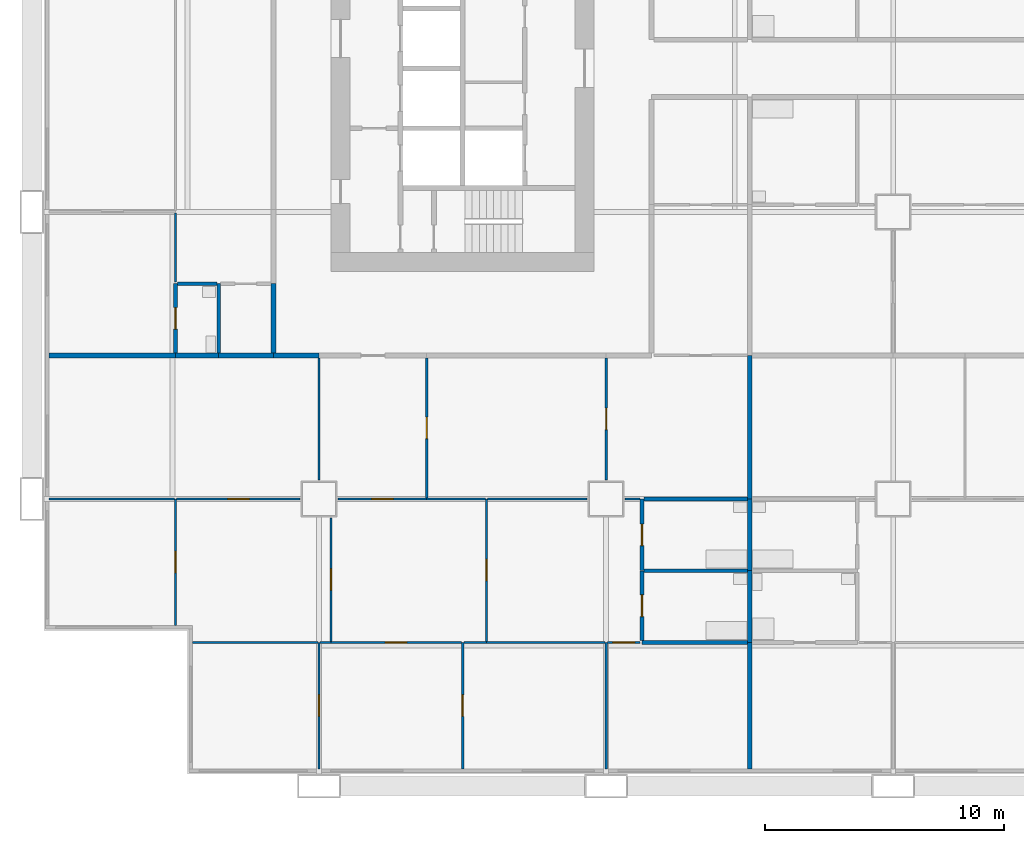
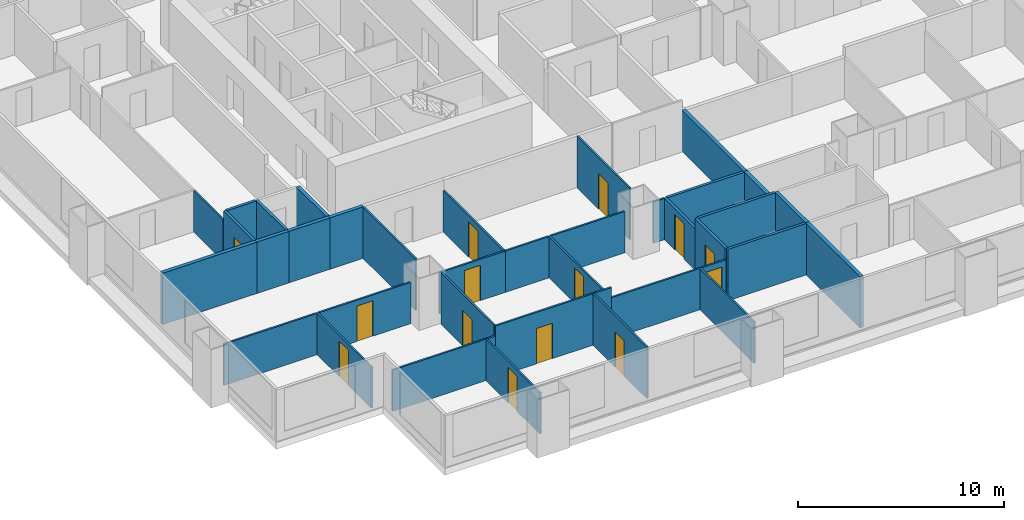
# One storey, part 2 of 13: 39 walls, 14 doors, 14 openings.
"""IFC4 building model written with IfcOpenShell, lengths in metres."""

import ifcopenshell
import ifcopenshell.guid

model = None  # the IFC model being written
_history = None  # IfcOwnerHistory: only IFC2X3 demands one
_inside = {}  # id of a spatial element -> (the spatial element, [elements in it])
_under = {}  # id of a project, library or spatial element -> (it, [spatial elements below it])
_declared = {}  # id of a project -> (the project, [libraries it declares])
_typed = {}  # id of a type object -> (the type object, [elements of that type])
_made_of = {}  # id of a material, layer set ... -> (it, [elements and type objects made of it])


def new_model(schema):
    """Start an empty IFC model of exactly this schema.

    Asked for "IFC4X3", IfcOpenShell would pick the latest addendum, in which some entities
    have other attributes; the version numbers below select the first issue.
    IFC2X3 requires an IfcOwnerHistory on every rooted entity: one is made here for all.
    """
    global model, _history
    if schema == "IFC4X3":
        model = ifcopenshell.file(schema_version=(4, 3, 0, 0))
    else:
        model = ifcopenshell.file(schema=schema)
    _inside.clear()
    _under.clear()
    _declared.clear()
    _typed.clear()
    _made_of.clear()
    _history = None
    if model.schema == "IFC2X3":
        org = make("IfcOrganization", Name="unknown")
        user = make(
            "IfcPersonAndOrganization",
            ThePerson=make("IfcPerson", FamilyName="unknown"),
            TheOrganization=org,
        )
        app = make(
            "IfcApplication",
            ApplicationDeveloper=org,
            Version="unknown",
            ApplicationFullName="unknown",
            ApplicationIdentifier="unknown",
        )
        _history = make(
            "IfcOwnerHistory",
            OwningUser=user,
            OwningApplication=app,
            ChangeAction="ADDED",
            CreationDate=0,
        )
    return model


def make(cls, **values):
    """One entity of the class cls with the attributes given. An attribute that is None is left unset."""
    return model.create_entity(
        cls, **{name: value for name, value in values.items() if value is not None}
    )


def rooted(cls, **values):
    """An entity with a GlobalId (a new one), such as an element, a storey or a relation."""
    return make(cls, GlobalId=ifcopenshell.guid.new(), OwnerHistory=_history, **values)


def si_unit(unit_type, name, prefix=None):
    """IfcSIUnit, for example si_unit("LENGTHUNIT", "METRE", prefix="MILLI")."""
    return make("IfcSIUnit", UnitType=unit_type, Prefix=prefix, Name=name)


def assignment(units):
    """IfcUnitAssignment: the units of a project."""
    return None if units is None else make("IfcUnitAssignment", Units=units)


def point(xyz):
    """IfcCartesianPoint."""
    return None if xyz is None else make("IfcCartesianPoint", Coordinates=xyz)


def direction(xyz):
    """IfcDirection."""
    return None if xyz is None else make("IfcDirection", DirectionRatios=xyz)


def frame(location, z_axis=None, x_axis=None):
    """IfcAxis2Placement3D, a coordinate frame: its origin and axes. An axis left out is left unset."""
    return make(
        "IfcAxis2Placement3D",
        Location=point(location),
        Axis=direction(z_axis),
        RefDirection=direction(x_axis),
    )


def frame_2d(location, x_axis=None):
    """IfcAxis2Placement2D, a coordinate frame in the plane: its origin and x axis."""
    return make(
        "IfcAxis2Placement2D", Location=point(location), RefDirection=direction(x_axis)
    )


def origin():
    """The frame at (0, 0, 0) with its axes left unset."""
    return frame((0.0, 0.0, 0.0))


def place(relative_to, where):
    """IfcLocalPlacement: puts the frame where relative to a parent placement (None: the world)."""
    return make(
        "IfcLocalPlacement", PlacementRelTo=relative_to, RelativePlacement=where
    )


def context(
    kind, dimensions, precision=None, world=None, true_north=None, identifier=None
):
    """IfcGeometricRepresentationContext, for example the 3D "Model" context."""
    return make(
        "IfcGeometricRepresentationContext",
        ContextIdentifier=identifier,
        ContextType=kind,
        CoordinateSpaceDimension=dimensions,
        Precision=precision,
        WorldCoordinateSystem=world,
        TrueNorth=true_north,
    )


def subcontext(parent, identifier, kind, view, scale=None):
    """IfcGeometricRepresentationSubContext, for example "Body" below "Model"."""
    return make(
        "IfcGeometricRepresentationSubContext",
        ContextIdentifier=identifier,
        ContextType=kind,
        ParentContext=parent,
        TargetScale=scale,
        TargetView=view,
    )


def project(units=None, contexts=None):
    """IfcProject with its units and contexts."""
    return rooted(
        "IfcProject",
        Name="project",
        RepresentationContexts=contexts,
        UnitsInContext=assignment(units),
    )


def spatial(cls, under=None, at=None, **own):
    """A site, building, storey or space (cls), placed at a placement, below another one or the project."""
    s = rooted(cls, ObjectPlacement=at, **own)
    if under is not None:
        _under.setdefault(under.id(), (under, []))[1].append(s)
    return s


def profile(cls, at=None, kind="AREA", **sizes):
    """A parametric profile (cls). Its sizes go by their IFC names, for example OverallWidth=200.0."""
    return make(cls, ProfileType=kind, Position=at, **sizes)


def rectangle(**sizes):
    """IfcRectangleProfileDef."""
    return profile("IfcRectangleProfileDef", **sizes)


def extrude(swept, where, along, depth):
    """IfcExtrudedAreaSolid: the profile swept, set in the frame where, extruded along a direction by depth."""
    return make(
        "IfcExtrudedAreaSolid",
        SweptArea=swept,
        Position=where,
        ExtrudedDirection=direction(along),
        Depth=depth,
    )


def shape(context_of_items, identifier, shape_type, items):
    """IfcShapeRepresentation: the items that make up one representation, for example the "Body"."""
    return make(
        "IfcShapeRepresentation",
        ContextOfItems=context_of_items,
        RepresentationIdentifier=identifier,
        RepresentationType=shape_type,
        Items=items,
    )


def material(Name=None, Category=None):
    """IfcMaterial."""
    return make("IfcMaterial", Name=Name, Category=Category)


def layer(
    of_material, thickness, ventilated=None, Name=None, Category=None, Priority=None
):
    """IfcMaterialLayer: one layer of a wall or slab, of a material (None: an air gap)."""
    return make(
        "IfcMaterialLayer",
        Material=of_material,
        LayerThickness=thickness,
        IsVentilated=ventilated,
        Name=Name,
        Category=Category,
        Priority=Priority,
    )


def layer_set(layers, Name=None):
    """IfcMaterialLayerSet."""
    return make("IfcMaterialLayerSet", MaterialLayers=layers, LayerSetName=Name)


def made_of(thing, what):
    """Note that an element or type object is made of a material, layer set ...; save() writes the relation."""
    if what is not None:
        _made_of.setdefault(what.id(), (what, []))[1].append(thing)
    return thing


def type_object(cls, material=None, **own):
    """A type object (cls), such as IfcWallType, which elements share."""
    return made_of(rooted(cls, **own), material)


def element(
    cls,
    number,
    at=None,
    inside=None,
    cuts=None,
    type_object=None,
    material=None,
    context=None,
    identifier="Body",
    shape_type=None,
    held_by="IfcProductDefinitionShape",
    body=None,
    shapes=None,
    **own,
):
    """One element of the class cls, such as IfcWall. Its Tag is "e" and its number.

    at: its placement. inside: the storey or other place that contains it. cuts: it is an
    opening in that element (IfcRelVoidsElement). A single representation is given by context,
    identifier, shape_type and body (its items); several are given by shapes. held_by: the class
    of the entity that holds the representations. save() writes the other relations.
    """
    e = rooted(cls, Tag="e%d" % number, ObjectPlacement=at, **own)
    if body is not None:
        shapes = [shape(context, identifier, shape_type, body)]
    if shapes is not None:
        e.Representation = make(held_by, Representations=shapes)
    if inside is not None:
        _inside.setdefault(inside.id(), (inside, []))[1].append(e)
    if cuts is not None:
        rooted(
            "IfcRelVoidsElement", RelatingBuildingElement=cuts, RelatedOpeningElement=e
        )
    if type_object is not None:
        _typed.setdefault(type_object.id(), (type_object, []))[1].append(e)
    return made_of(e, material)


def fill(opening, filler):
    """IfcRelFillsElement: the door or window that sits in an opening."""
    return rooted(
        "IfcRelFillsElement",
        RelatingOpeningElement=opening,
        RelatedBuildingElement=filler,
    )


def aggregate(whole, parts):
    """IfcRelAggregates: a whole, such as a stair, and the parts it consists of."""
    return rooted("IfcRelAggregates", RelatingObject=whole, RelatedObjects=parts)


def save(model, path):
    """Write the relations noted so far, then the file.

    IfcRelAggregates (storeys below a building ...), IfcRelContainedInSpatialStructure (elements
    in a storey), IfcRelDefinesByType, IfcRelAssociatesMaterial and IfcRelDeclares: one each for
    every whole, place, type object, material and project.
    """
    for whole, parts in _under.values():
        aggregate(whole, parts)
    for where, things in _inside.values():
        rooted(
            "IfcRelContainedInSpatialStructure",
            RelatedElements=things,
            RelatingStructure=where,
        )
    for kind, things in _typed.values():
        rooted("IfcRelDefinesByType", RelatedObjects=things, RelatingType=kind)
    for what, things in _made_of.values():
        rooted("IfcRelAssociatesMaterial", RelatedObjects=things, RelatingMaterial=what)
    for by, libraries in _declared.values():
        rooted("IfcRelDeclares", RelatingContext=by, RelatedDefinitions=libraries)
    model.write(path)


model = new_model("IFC4")

# Units and contexts
model_context = context("Model", 3, precision=1e-05, world=origin(), true_north=direction((0.0, 1.0)))
body_context = subcontext(model_context, "Body", "Model", "MODEL_VIEW")
ifc_project = project(units=[si_unit("LENGTHUNIT", "METRE"), si_unit("AREAUNIT", "SQUARE_METRE"), si_unit("VOLUMEUNIT", "CUBIC_METRE"), si_unit("PLANEANGLEUNIT", "RADIAN"), si_unit("MASSUNIT", "GRAM", prefix="KILO")], contexts=[model_context])

# Site, building, storey
site_placement = place(None, origin())
site = spatial("IfcSite", under=ifc_project, at=site_placement, CompositionType="ELEMENT")
building_placement = place(site_placement, origin())
building = spatial("IfcBuilding", under=site, at=building_placement, Name="Kitamizu Gate Tower and Museum", CompositionType="ELEMENT")
storey_placement = place(building_placement, frame((0.0, 0.0, 40.35009765625)))
storey = spatial("IfcBuildingStorey", under=building, at=storey_placement, Name="L08", CompositionType="ELEMENT", Elevation=40.35009765625)

# Wall, opening, door
ifc_material_1 = material(Name="Gypsum board on galvanised stud")
ifc_layer_1 = layer(ifc_material_1, 0.10009765625)
ifc_layer_set_1 = layer_set([ifc_layer_1], Name="Gypsum board on galvanised stud")
wall_type_1 = type_object("IfcWallType", Name="Partition 100 NOT RATED", PredefinedType="PARTITIONING", material=ifc_layer_set_1)
wall_1_placement = place(storey_placement, frame((12.0, 0.719970703125, 0.0), z_axis=(0.0, 0.0, 1.0), x_axis=(0.0, 1.0, 0.0)))
wall_1 = element("IfcWall", 1, at=wall_1_placement, inside=storey, type_object=wall_type_1, Name="Partition L08-001", PredefinedType="PARTITIONING", context=body_context, shape_type="SweptSolid", body=[
    extrude(rectangle(XDim=5.280029296875, YDim=0.10009765625, at=frame_2d((2.64013671875, 0.0))), origin(), (0.0, 0.0, 1.0), 2.449951171875),
])
opening_1_placement = place(wall_1_placement, frame((2.18994140625, 0.0, 0.0)))
opening_1 = element("IfcOpeningElement", 2, at=opening_1_placement, cuts=wall_1, Name="Opening L08-006", PredefinedType="OPENING", context=body_context, shape_type="SweptSolid", body=[
    extrude(rectangle(XDim=0.89990234375, YDim=2.10009765625, at=frame_2d((0.449951171875, 1.050048828125))), frame((0.0, 0.06005859375, 0.0), z_axis=(0.0, -1.0, 0.0), x_axis=(1.0, 0.0, 0.0)), (0.0, 0.0, 1.0), 0.1201171875),
])
ifc_material_2 = material(Name="Timber door set", Category="wood")
door_type_1 = type_object("IfcDoorType", Name="Room door 900", OperationType="NOTDEFINED", PredefinedType="DOOR", material=ifc_material_2)
door_1_placement = place(opening_1_placement, origin())
door_1 = element("IfcDoor", 3, at=door_1_placement, inside=storey, type_object=door_type_1, Name="Door L08-006", OperationType="SINGLE_SWING_RIGHT", OverallHeight=2.10009765625, OverallWidth=0.89990234375, PredefinedType="DOOR", context=body_context, shape_type="SweptSolid", body=[
    extrude(rectangle(XDim=0.89990234375, YDim=2.10009765625, at=frame_2d((0.449951171875, 1.050048828125))), frame((0.0, 0.02490234375, 0.0), z_axis=(0.0, -1.0, 0.0), x_axis=(1.0, 0.0, 0.0)), (0.0, 0.0, 1.0), 0.050048828125),
])
fill(opening_1, door_1)

# Wall
wall_2_placement = place(storey_placement, frame((11.949951171875, 6.0, 0.0), z_axis=(0.0, 0.0, 1.0), x_axis=(-1.0, 0.0, 0.0)))
element("IfcWall", 4, at=wall_2_placement, inside=storey, type_object=wall_type_1, Name="Partition L08-002", PredefinedType="PARTITIONING", context=body_context, shape_type="SweptSolid", body=[
    extrude(rectangle(XDim=5.22998046875, YDim=0.10009765625, at=frame_2d((2.614990234375, 0.0))), origin(), (0.0, 0.0, 1.0), 2.449951171875),
])

# Wall, opening, door
wall_3_placement = place(storey_placement, frame((18.0, 0.719970703125, 0.0), z_axis=(0.0, 0.0, 1.0), x_axis=(0.0, 1.0, 0.0)))
wall_3 = element("IfcWall", 5, at=wall_3_placement, inside=storey, type_object=wall_type_1, Name="Partition L08-003", PredefinedType="PARTITIONING", context=body_context, shape_type="SweptSolid", body=[
    extrude(rectangle(XDim=5.280029296875, YDim=0.10009765625, at=frame_2d((2.64013671875, 0.0))), origin(), (0.0, 0.0, 1.0), 3.0498046875),
])
opening_2_placement = place(wall_3_placement, frame((2.18994140625, 0.0, 0.0)))
opening_2 = element("IfcOpeningElement", 6, at=opening_2_placement, cuts=wall_3, Name="Opening L08-007", PredefinedType="OPENING", context=body_context, shape_type="SweptSolid", body=[
    extrude(rectangle(XDim=0.89990234375, YDim=2.10009765625, at=frame_2d((0.449951171875, 1.050048828125))), frame((0.0, 0.06005859375, 0.0), z_axis=(0.0, -1.0, 0.0), x_axis=(1.0, 0.0, 0.0)), (0.0, 0.0, 1.0), 0.1201171875),
])
door_2_placement = place(opening_2_placement, origin())
door_2 = element("IfcDoor", 7, at=door_2_placement, inside=storey, type_object=door_type_1, Name="Door L08-007", OperationType="SINGLE_SWING_LEFT", OverallHeight=2.10009765625, OverallWidth=0.89990234375, PredefinedType="DOOR", context=body_context, shape_type="SweptSolid", body=[
    extrude(rectangle(XDim=0.89990234375, YDim=2.10009765625, at=frame_2d((0.449951171875, 1.050048828125))), frame((0.0, 0.02490234375, 0.0), z_axis=(0.0, -1.0, 0.0), x_axis=(1.0, 0.0, 0.0)), (0.0, 0.0, 1.0), 0.050048828125),
])
fill(opening_2, door_2)

# Wall
wall_4_placement = place(storey_placement, frame((12.5, 6.0, 0.0), z_axis=(0.0, 0.0, 1.0), x_axis=(-1.0, 0.0, 0.0)))
element("IfcWall", 8, at=wall_4_placement, inside=storey, type_object=wall_type_1, Name="Partition L08-004", PredefinedType="PARTITIONING", context=body_context, shape_type="SweptSolid", body=[
    extrude(rectangle(XDim=0.449951171875, YDim=0.10009765625, at=frame_2d((0.22509765625, 0.0))), origin(), (0.0, 0.0, 1.0), 2.449951171875),
])

# Wall, opening, door
wall_5_placement = place(storey_placement, frame((17.949951171875, 6.0, 0.0), z_axis=(0.0, 0.0, 1.0), x_axis=(-1.0, 0.0, 0.0)))
wall_5 = element("IfcWall", 9, at=wall_5_placement, inside=storey, type_object=wall_type_1, Name="Partition L08-005", PredefinedType="PARTITIONING", context=body_context, shape_type="SweptSolid", body=[
    extrude(rectangle(XDim=5.449951171875, YDim=0.10009765625, at=frame_2d((2.72509765625, 0.0))), origin(), (0.0, 0.0, 1.0), 3.0498046875),
])
opening_3_placement = place(wall_5_placement, frame((2.27490234375, 0.0, 0.0)))
opening_3 = element("IfcOpeningElement", 10, at=opening_3_placement, cuts=wall_5, Name="Opening L08-003", PredefinedType="OPENING", context=body_context, shape_type="SweptSolid", body=[
    extrude(rectangle(XDim=0.89990234375, YDim=2.10009765625, at=frame_2d((0.449951171875, 1.050048828125))), frame((0.0, 0.06005859375, 0.0), z_axis=(0.0, -1.0, 0.0), x_axis=(1.0, 0.0, 0.0)), (0.0, 0.0, 1.0), 0.1201171875),
])
door_3_placement = place(opening_3_placement, origin())
door_3 = element("IfcDoor", 11, at=door_3_placement, inside=storey, type_object=door_type_1, Name="Door L08-003", OperationType="SINGLE_SWING_LEFT", OverallHeight=2.10009765625, OverallWidth=0.89990234375, PredefinedType="DOOR", context=body_context, shape_type="SweptSolid", body=[
    extrude(rectangle(XDim=0.89990234375, YDim=2.10009765625, at=frame_2d((0.449951171875, 1.050048828125))), frame((0.0, 0.02490234375, 0.0), z_axis=(0.0, -1.0, 0.0), x_axis=(1.0, 0.0, 0.0)), (0.0, 0.0, 1.0), 0.050048828125),
])
fill(opening_3, door_3)

# Walls
wall_6_placement = place(storey_placement, frame((24.0, 0.719970703125, 0.0), z_axis=(0.0, 0.0, 1.0), x_axis=(0.0, 1.0, 0.0)))
element("IfcWall", 12, at=wall_6_placement, inside=storey, type_object=wall_type_1, Name="Partition L08-006", PredefinedType="PARTITIONING", context=body_context, shape_type="SweptSolid", body=[
    extrude(rectangle(XDim=5.280029296875, YDim=0.10009765625, at=frame_2d((2.64013671875, 0.0))), origin(), (0.0, 0.0, 1.0), 2.449951171875),
])
wall_7_placement = place(storey_placement, frame((19.0, 6.0, 0.0), z_axis=(0.0, 0.0, 1.0), x_axis=(-1.0, 0.0, 0.0)))
element("IfcWall", 13, at=wall_7_placement, inside=storey, type_object=wall_type_1, Name="Partition L08-007", PredefinedType="PARTITIONING", context=body_context, shape_type="SweptSolid", body=[
    extrude(rectangle(XDim=0.949951171875, YDim=0.10009765625, at=frame_2d((0.47509765625, 0.0))), origin(), (0.0, 0.0, 1.0), 3.0498046875),
])
wall_8_placement = place(storey_placement, frame((23.949951171875, 6.0, 0.0), z_axis=(0.0, 0.0, 1.0), x_axis=(-1.0, 0.0, 0.0)))
element("IfcWall", 14, at=wall_8_placement, inside=storey, type_object=wall_type_1, Name="Partition L08-008", PredefinedType="PARTITIONING", context=body_context, shape_type="SweptSolid", body=[
    extrude(rectangle(XDim=4.949951171875, YDim=0.10009765625, at=frame_2d((2.47509765625, 0.0))), origin(), (0.0, 0.0, 1.0), 2.449951171875),
])

# Wall, opening, door
wall_9_placement = place(storey_placement, frame((25.425048828125, 6.0, 0.0), z_axis=(0.0, 0.0, 1.0), x_axis=(-1.0, 0.0, 0.0)))
wall_9 = element("IfcWall", 15, at=wall_9_placement, inside=storey, type_object=wall_type_1, Name="Partition L08-009", PredefinedType="PARTITIONING", context=body_context, shape_type="SweptSolid", body=[
    extrude(rectangle(XDim=1.375, YDim=0.10009765625, at=frame_2d((0.6875, 0.0))), origin(), (0.0, 0.0, 1.0), 2.449951171875),
])
opening_4_placement = place(wall_9_placement, frame((0.237548828125, 0.0, 0.0)))
opening_4 = element("IfcOpeningElement", 16, at=opening_4_placement, cuts=wall_9, Name="Opening L08-008", PredefinedType="OPENING", context=body_context, shape_type="SweptSolid", body=[
    extrude(rectangle(XDim=0.89990234375, YDim=2.10009765625, at=frame_2d((0.449951171875, 1.050048828125))), frame((0.0, 0.06005859375, 0.0), z_axis=(0.0, -1.0, 0.0), x_axis=(1.0, 0.0, 0.0)), (0.0, 0.0, 1.0), 0.1201171875),
])
door_4_placement = place(opening_4_placement, origin())
door_4 = element("IfcDoor", 17, at=door_4_placement, inside=storey, type_object=door_type_1, Name="Door L08-008", OperationType="SINGLE_SWING_LEFT", OverallHeight=2.10009765625, OverallWidth=0.89990234375, PredefinedType="DOOR", context=body_context, shape_type="SweptSolid", body=[
    extrude(rectangle(XDim=0.89990234375, YDim=2.10009765625, at=frame_2d((0.449951171875, 1.050048828125))), frame((0.0, 0.02490234375, 0.0), z_axis=(0.0, -1.0, 0.0), x_axis=(1.0, 0.0, 0.0)), (0.0, 0.0, 1.0), 0.050048828125),
])
fill(opening_4, door_4)

wall_10_placement = place(storey_placement, frame((6.0, 6.719970703125, 0.0), z_axis=(0.0, 0.0, 1.0), x_axis=(0.0, 1.0, 0.0)))
wall_10 = element("IfcWall", 18, at=wall_10_placement, inside=storey, type_object=wall_type_1, Name="Partition L08-012", PredefinedType="PARTITIONING", context=body_context, shape_type="SweptSolid", body=[
    extrude(rectangle(XDim=5.280029296875, YDim=0.10009765625, at=frame_2d((2.64013671875, 0.0))), origin(), (0.0, 0.0, 1.0), 2.449951171875),
])
opening_5_placement = place(wall_10_placement, frame((2.18994140625, 0.0, 0.0)))
opening_5 = element("IfcOpeningElement", 19, at=opening_5_placement, cuts=wall_10, Name="Opening L08-009", PredefinedType="OPENING", context=body_context, shape_type="SweptSolid", body=[
    extrude(rectangle(XDim=0.89990234375, YDim=2.10009765625, at=frame_2d((0.449951171875, 1.050048828125))), frame((0.0, 0.06005859375, 0.0), z_axis=(0.0, -1.0, 0.0), x_axis=(1.0, 0.0, 0.0)), (0.0, 0.0, 1.0), 0.1201171875),
])
door_5_placement = place(opening_5_placement, origin())
door_5 = element("IfcDoor", 20, at=door_5_placement, inside=storey, type_object=door_type_1, Name="Door L08-009", OperationType="SINGLE_SWING_RIGHT", OverallHeight=2.10009765625, OverallWidth=0.89990234375, PredefinedType="DOOR", context=body_context, shape_type="SweptSolid", body=[
    extrude(rectangle(XDim=0.89990234375, YDim=2.10009765625, at=frame_2d((0.449951171875, 1.050048828125))), frame((0.0, 0.02490234375, 0.0), z_axis=(0.0, -1.0, 0.0), x_axis=(1.0, 0.0, 0.0)), (0.0, 0.0, 1.0), 0.050048828125),
])
fill(opening_5, door_5)

# Wall
wall_11_placement = place(storey_placement, frame((5.949951171875, 12.0, 0.0), z_axis=(0.0, 0.0, 1.0), x_axis=(-1.0, 0.0, 0.0)))
element("IfcWall", 21, at=wall_11_placement, inside=storey, type_object=wall_type_1, Name="Partition L08-013", PredefinedType="PARTITIONING", context=body_context, shape_type="SweptSolid", body=[
    extrude(rectangle(XDim=5.22998046875, YDim=0.10009765625, at=frame_2d((2.614990234375, 0.0))), origin(), (0.0, 0.0, 1.0), 2.449951171875),
])

# Wall, opening, door
wall_12_placement = place(storey_placement, frame((12.5, 6.050048828125, 0.0), z_axis=(0.0, 0.0, 1.0), x_axis=(0.0, 1.0, 0.0)))
wall_12 = element("IfcWall", 22, at=wall_12_placement, inside=storey, type_object=wall_type_1, Name="Partition L08-014", PredefinedType="PARTITIONING", context=body_context, shape_type="SweptSolid", body=[
    extrude(rectangle(XDim=5.14990234375, YDim=0.10009765625, at=frame_2d((2.574951171875, 0.0))), origin(), (0.0, 0.0, 1.0), 3.0498046875),
])
opening_6_placement = place(wall_12_placement, frame((2.125, 0.0, 0.0)))
opening_6 = element("IfcOpeningElement", 23, at=opening_6_placement, cuts=wall_12, Name="Opening L08-004", PredefinedType="OPENING", context=body_context, shape_type="SweptSolid", body=[
    extrude(rectangle(XDim=0.89990234375, YDim=2.10009765625, at=frame_2d((0.449951171875, 1.050048828125))), frame((0.0, 0.06005859375, 0.0), z_axis=(0.0, -1.0, 0.0), x_axis=(1.0, 0.0, 0.0)), (0.0, 0.0, 1.0), 0.1201171875),
])
door_6_placement = place(opening_6_placement, frame((0.89990234375, 0.0, 0.0), x_axis=(-1.0, 0.0, 0.0)))
door_6 = element("IfcDoor", 24, at=door_6_placement, inside=storey, type_object=door_type_1, Name="Door L08-004", OperationType="SINGLE_SWING_LEFT", OverallHeight=2.10009765625, OverallWidth=0.89990234375, PredefinedType="DOOR", context=body_context, shape_type="SweptSolid", body=[
    extrude(rectangle(XDim=0.89990234375, YDim=2.10009765625, at=frame_2d((0.449951171875, 1.050048828125))), frame((0.0, 0.02490234375, 0.0), z_axis=(0.0, -1.0, 0.0), x_axis=(1.0, 0.0, 0.0)), (0.0, 0.0, 1.0), 0.050048828125),
])
fill(opening_6, door_6)

wall_13_placement = place(storey_placement, frame((11.199951171875, 12.0, 0.0), z_axis=(0.0, 0.0, 1.0), x_axis=(-1.0, 0.0, 0.0)))
wall_13 = element("IfcWall", 25, at=wall_13_placement, inside=storey, type_object=wall_type_1, Name="Partition L08-015", PredefinedType="PARTITIONING", context=body_context, shape_type="SweptSolid", body=[
    extrude(rectangle(XDim=5.14990234375, YDim=0.10009765625, at=frame_2d((2.574951171875, 0.0))), origin(), (0.0, 0.0, 1.0), 2.449951171875),
])
opening_7_placement = place(wall_13_placement, frame((2.125, 0.0, 0.0)))
opening_7 = element("IfcOpeningElement", 26, at=opening_7_placement, cuts=wall_13, Name="Opening L08-012", PredefinedType="OPENING", context=body_context, shape_type="SweptSolid", body=[
    extrude(rectangle(XDim=0.89990234375, YDim=2.10009765625, at=frame_2d((0.449951171875, 1.050048828125))), frame((0.0, 0.06005859375, 0.0), z_axis=(0.0, -1.0, 0.0), x_axis=(1.0, 0.0, 0.0)), (0.0, 0.0, 1.0), 0.1201171875),
])
door_7_placement = place(opening_7_placement, frame((0.89990234375, 0.0, 0.0), x_axis=(-1.0, 0.0, 0.0)))
door_7 = element("IfcDoor", 27, at=door_7_placement, inside=storey, type_object=door_type_1, Name="Door L08-012", OperationType="SINGLE_SWING_RIGHT", OverallHeight=2.10009765625, OverallWidth=0.89990234375, PredefinedType="DOOR", context=body_context, shape_type="SweptSolid", body=[
    extrude(rectangle(XDim=0.89990234375, YDim=2.10009765625, at=frame_2d((0.449951171875, 1.050048828125))), frame((0.0, 0.02490234375, 0.0), z_axis=(0.0, -1.0, 0.0), x_axis=(1.0, 0.0, 0.0)), (0.0, 0.0, 1.0), 0.050048828125),
])
fill(opening_7, door_7)

wall_14_placement = place(storey_placement, frame((19.0, 6.050048828125, 0.0), z_axis=(0.0, 0.0, 1.0), x_axis=(0.0, 1.0, 0.0)))
wall_14 = element("IfcWall", 28, at=wall_14_placement, inside=storey, type_object=wall_type_1, Name="Partition L08-016", PredefinedType="PARTITIONING", context=body_context, shape_type="SweptSolid", body=[
    extrude(rectangle(XDim=5.949951171875, YDim=0.10009765625, at=frame_2d((2.97509765625, 0.0))), origin(), (0.0, 0.0, 1.0), 2.449951171875),
])
opening_8_placement = place(wall_14_placement, frame((2.52490234375, 0.0, 0.0)))
opening_8 = element("IfcOpeningElement", 29, at=opening_8_placement, cuts=wall_14, Name="Opening L08-005", PredefinedType="OPENING", context=body_context, shape_type="SweptSolid", body=[
    extrude(rectangle(XDim=0.89990234375, YDim=2.10009765625, at=frame_2d((0.449951171875, 1.050048828125))), frame((0.0, 0.06005859375, 0.0), z_axis=(0.0, -1.0, 0.0), x_axis=(1.0, 0.0, 0.0)), (0.0, 0.0, 1.0), 0.1201171875),
])
door_8_placement = place(opening_8_placement, frame((0.89990234375, 0.0, 0.0), x_axis=(-1.0, 0.0, 0.0)))
door_8 = element("IfcDoor", 30, at=door_8_placement, inside=storey, type_object=door_type_1, Name="Door L08-005", OperationType="SINGLE_SWING_RIGHT", OverallHeight=2.10009765625, OverallWidth=0.89990234375, PredefinedType="DOOR", context=body_context, shape_type="SweptSolid", body=[
    extrude(rectangle(XDim=0.89990234375, YDim=2.10009765625, at=frame_2d((0.449951171875, 1.050048828125))), frame((0.0, 0.02490234375, 0.0), z_axis=(0.0, -1.0, 0.0), x_axis=(1.0, 0.0, 0.0)), (0.0, 0.0, 1.0), 0.050048828125),
])
fill(opening_8, door_8)

wall_15_placement = place(storey_placement, frame((16.5, 12.0, 0.0), z_axis=(0.0, 0.0, 1.0), x_axis=(-1.0, 0.0, 0.0)))
wall_15 = element("IfcWall", 31, at=wall_15_placement, inside=storey, type_object=wall_type_1, Name="Partition L08-017", PredefinedType="PARTITIONING", context=body_context, shape_type="SweptSolid", body=[
    extrude(rectangle(XDim=3.699951171875, YDim=0.10009765625, at=frame_2d((1.85009765625, 0.0))), origin(), (0.0, 0.0, 1.0), 2.449951171875),
])
opening_9_placement = place(wall_15_placement, frame((1.39990234375, 0.0, 0.0)))
opening_9 = element("IfcOpeningElement", 32, at=opening_9_placement, cuts=wall_15, Name="Opening L08-002", PredefinedType="OPENING", context=body_context, shape_type="SweptSolid", body=[
    extrude(rectangle(XDim=0.89990234375, YDim=2.10009765625, at=frame_2d((0.449951171875, 1.050048828125))), frame((0.0, 0.06005859375, 0.0), z_axis=(0.0, -1.0, 0.0), x_axis=(1.0, 0.0, 0.0)), (0.0, 0.0, 1.0), 0.1201171875),
])
door_9_placement = place(opening_9_placement, origin())
door_9 = element("IfcDoor", 33, at=door_9_placement, inside=storey, type_object=door_type_1, Name="Door L08-002", OperationType="SINGLE_SWING_LEFT", OverallHeight=2.10009765625, OverallWidth=0.89990234375, PredefinedType="DOOR", context=body_context, shape_type="SweptSolid", body=[
    extrude(rectangle(XDim=0.89990234375, YDim=2.10009765625, at=frame_2d((0.449951171875, 1.050048828125))), frame((0.0, 0.02490234375, 0.0), z_axis=(0.0, -1.0, 0.0), x_axis=(1.0, 0.0, 0.0)), (0.0, 0.0, 1.0), 0.050048828125),
])
fill(opening_9, door_9)

# Walls
wall_16_placement = place(storey_placement, frame((18.949951171875, 12.0, 0.0), z_axis=(0.0, 0.0, 1.0), x_axis=(-1.0, 0.0, 0.0)))
element("IfcWall", 34, at=wall_16_placement, inside=storey, type_object=wall_type_1, Name="Partition L08-018", PredefinedType="PARTITIONING", context=body_context, shape_type="SweptSolid", body=[
    extrude(rectangle(XDim=2.449951171875, YDim=0.10009765625, at=frame_2d((1.22509765625, 0.0))), origin(), (0.0, 0.0, 1.0), 2.449951171875),
])
wall_17_placement = place(storey_placement, frame((23.199951171875, 12.0, 0.0), z_axis=(0.0, 0.0, 1.0), x_axis=(-1.0, 0.0, 0.0)))
element("IfcWall", 35, at=wall_17_placement, inside=storey, type_object=wall_type_1, Name="Partition L08-021", PredefinedType="PARTITIONING", context=body_context, shape_type="SweptSolid", body=[
    extrude(rectangle(XDim=4.14990234375, YDim=0.10009765625, at=frame_2d((2.074951171875, 0.0))), origin(), (0.0, 0.0, 1.0), 2.449951171875),
])
wall_18_placement = place(storey_placement, frame((25.425048828125, 12.0, 0.0), z_axis=(0.0, 0.0, 1.0), x_axis=(-1.0, 0.0, 0.0)))
element("IfcWall", 36, at=wall_18_placement, inside=storey, type_object=wall_type_1, Name="Partition L08-022", PredefinedType="PARTITIONING", context=body_context, shape_type="SweptSolid", body=[
    extrude(rectangle(XDim=0.625, YDim=0.10009765625, at=frame_2d((0.3125, 0.0))), origin(), (0.0, 0.0, 1.0), 2.449951171875),
])
wall_19_placement = place(storey_placement, frame((12.0, 12.800048828125, 0.0), z_axis=(0.0, 0.0, 1.0), x_axis=(0.0, 1.0, 0.0)))
element("IfcWall", 37, at=wall_19_placement, inside=storey, type_object=wall_type_1, Name="Partition L08-027", PredefinedType="PARTITIONING", context=body_context, shape_type="SweptSolid", body=[
    extrude(rectangle(XDim=5.099853515625, YDim=0.10009765625, at=frame_2d((2.5498046875, 0.0))), origin(), (0.0, 0.0, 1.0), 3.0498046875),
])

# Wall, opening, door
wall_20_placement = place(storey_placement, frame((16.5, 12.050048828125, 0.0), z_axis=(0.0, 0.0, 1.0), x_axis=(0.0, 1.0, 0.0)))
wall_20 = element("IfcWall", 38, at=wall_20_placement, inside=storey, type_object=wall_type_1, Name="Partition L08-032", PredefinedType="PARTITIONING", context=body_context, shape_type="SweptSolid", body=[
    extrude(rectangle(XDim=5.849853515625, YDim=0.10009765625, at=frame_2d((2.9248046875, 0.0))), origin(), (0.0, 0.0, 1.0), 2.449951171875),
])
opening_10_placement = place(wall_20_placement, frame((2.47509765625, 0.0, 0.0)))
opening_10 = element("IfcOpeningElement", 39, at=opening_10_placement, cuts=wall_20, Name="Opening L08-013", PredefinedType="OPENING", context=body_context, shape_type="SweptSolid", body=[
    extrude(rectangle(XDim=0.89990234375, YDim=2.10009765625, at=frame_2d((0.449951171875, 1.050048828125))), frame((0.0, 0.06005859375, 0.0), z_axis=(0.0, -1.0, 0.0), x_axis=(1.0, 0.0, 0.0)), (0.0, 0.0, 1.0), 0.1201171875),
])
door_10_placement = place(opening_10_placement, frame((0.89990234375, 0.0, 0.0), x_axis=(-1.0, 0.0, 0.0)))
door_10 = element("IfcDoor", 40, at=door_10_placement, inside=storey, type_object=door_type_1, Name="Door L08-013", OperationType="SINGLE_SWING_LEFT", OverallHeight=2.10009765625, OverallWidth=0.89990234375, PredefinedType="DOOR", context=body_context, shape_type="SweptSolid", body=[
    extrude(rectangle(XDim=0.89990234375, YDim=2.10009765625, at=frame_2d((0.449951171875, 1.050048828125))), frame((0.0, 0.02490234375, 0.0), z_axis=(0.0, -1.0, 0.0), x_axis=(1.0, 0.0, 0.0)), (0.0, 0.0, 1.0), 0.050048828125),
])
fill(opening_10, door_10)

wall_21_placement = place(storey_placement, frame((24.0, 12.800048828125, 0.0), z_axis=(0.0, 0.0, 1.0), x_axis=(0.0, 1.0, 0.0)))
wall_21 = element("IfcWall", 41, at=wall_21_placement, inside=storey, type_object=wall_type_1, Name="Partition L08-034", PredefinedType="PARTITIONING", context=body_context, shape_type="SweptSolid", body=[
    extrude(rectangle(XDim=5.099853515625, YDim=0.10009765625, at=frame_2d((2.5498046875, 0.0))), origin(), (0.0, 0.0, 1.0), 3.0498046875),
])
opening_11_placement = place(wall_21_placement, frame((2.10009765625, 0.0, 0.0)))
opening_11 = element("IfcOpeningElement", 42, at=opening_11_placement, cuts=wall_21, Name="Opening L08-014", PredefinedType="OPENING", context=body_context, shape_type="SweptSolid", body=[
    extrude(rectangle(XDim=0.89990234375, YDim=2.10009765625, at=frame_2d((0.449951171875, 1.050048828125))), frame((0.0, 0.06005859375, 0.0), z_axis=(0.0, -1.0, 0.0), x_axis=(1.0, 0.0, 0.0)), (0.0, 0.0, 1.0), 0.1201171875),
])
door_11_placement = place(opening_11_placement, frame((0.89990234375, 0.0, 0.0), x_axis=(-1.0, 0.0, 0.0)))
door_11 = element("IfcDoor", 43, at=door_11_placement, inside=storey, type_object=door_type_1, Name="Door L08-014", OperationType="SINGLE_SWING_RIGHT", OverallHeight=2.10009765625, OverallWidth=0.89990234375, PredefinedType="DOOR", context=body_context, shape_type="SweptSolid", body=[
    extrude(rectangle(XDim=0.89990234375, YDim=2.10009765625, at=frame_2d((0.449951171875, 1.050048828125))), frame((0.0, 0.02490234375, 0.0), z_axis=(0.0, -1.0, 0.0), x_axis=(1.0, 0.0, 0.0)), (0.0, 0.0, 1.0), 0.050048828125),
])
fill(opening_11, door_11)

# Walls
wall_22_placement = place(storey_placement, frame((6.0, 21.074951171875, 0.0), z_axis=(0.0, 0.0, 1.0), x_axis=(0.0, 1.0, 0.0)))
element("IfcWall", 44, at=wall_22_placement, inside=storey, type_object=wall_type_1, Name="Partition L08-136", PredefinedType="PARTITIONING", context=body_context, shape_type="SweptSolid", body=[
    extrude(rectangle(XDim=2.875, YDim=0.10009765625, at=frame_2d((1.4375, 0.0))), origin(), (0.0, 0.0, 1.0), 2.449951171875),
])
ifc_material_3 = material(Name="Gypsum board on galvanised stud")
ifc_layer_2 = layer(ifc_material_3, 0.14990234375)
ifc_layer_set_2 = layer_set([ifc_layer_2], Name="Gypsum board on galvanised stud")
wall_type_2 = type_object("IfcWallType", Name="Partition 150", PredefinedType="PARTITIONING", material=ifc_layer_set_2)
wall_23_placement = place(storey_placement, frame((29.89990234375, 6.0, 0.0), z_axis=(0.0, 0.0, 1.0), x_axis=(-1.0, 0.0, 0.0)))
element("IfcWall", 45, at=wall_23_placement, inside=storey, type_object=wall_type_2, Name="Partition L08-010", PredefinedType="PARTITIONING", context=body_context, shape_type="SweptSolid", body=[
    extrude(rectangle(XDim=4.39990234375, YDim=0.14990234375, at=frame_2d((2.199951171875, 0.0))), origin(), (0.0, 0.0, 1.0), 3.0498046875),
])

# Wall, opening, door
wall_24_placement = place(storey_placement, frame((25.5, 6.074951171875, 0.0), z_axis=(0.0, 0.0, 1.0), x_axis=(0.0, 1.0, 0.0)))
wall_24 = element("IfcWall", 46, at=wall_24_placement, inside=storey, type_object=wall_type_2, Name="Partition L08-019", PredefinedType="PARTITIONING", context=body_context, shape_type="SweptSolid", body=[
    extrude(rectangle(XDim=2.925048828125, YDim=0.14990234375, at=frame_2d((1.46240234375, 0.0))), origin(), (0.0, 0.0, 1.0), 3.0498046875),
])
opening_12_placement = place(wall_24_placement, frame((1.012451171875, 0.0, 0.0)))
opening_12 = element("IfcOpeningElement", 47, at=opening_12_placement, cuts=wall_24, Name="Opening L08-010", PredefinedType="OPENING", context=body_context, shape_type="SweptSolid", body=[
    extrude(rectangle(XDim=0.89990234375, YDim=2.10009765625, at=frame_2d((0.449951171875, 1.050048828125))), frame((0.0, 0.0849609375, 0.0), z_axis=(0.0, -1.0, 0.0), x_axis=(1.0, 0.0, 0.0)), (0.0, 0.0, 1.0), 0.169921875),
])
ifc_material_4 = material(Name="Timber door set", Category="wood")
door_type_2 = type_object("IfcDoorType", Name="Bathroom door 900", OperationType="NOTDEFINED", PredefinedType="DOOR", material=ifc_material_4)
door_12_placement = place(opening_12_placement, frame((0.89990234375, 0.0, 0.0), x_axis=(-1.0, 0.0, 0.0)))
door_12 = element("IfcDoor", 48, at=door_12_placement, inside=storey, type_object=door_type_2, Name="Bathroom door L08-010", OperationType="SINGLE_SWING_RIGHT", OverallHeight=2.10009765625, OverallWidth=0.89990234375, PredefinedType="DOOR", context=body_context, shape_type="SweptSolid", body=[
    extrude(rectangle(XDim=0.89990234375, YDim=2.10009765625, at=frame_2d((0.449951171875, 1.050048828125))), frame((0.0, 0.02490234375, 0.0), z_axis=(0.0, -1.0, 0.0), x_axis=(1.0, 0.0, 0.0)), (0.0, 0.0, 1.0), 0.050048828125),
])
fill(opening_12, door_12)

wall_25_placement = place(storey_placement, frame((25.5, 9.0, 0.0), z_axis=(0.0, 0.0, 1.0), x_axis=(0.0, 1.0, 0.0)))
wall_25 = element("IfcWall", 49, at=wall_25_placement, inside=storey, type_object=wall_type_2, Name="Partition L08-020", PredefinedType="PARTITIONING", context=body_context, shape_type="SweptSolid", body=[
    extrude(rectangle(XDim=3.0, YDim=0.14990234375, at=frame_2d((1.5, 0.0))), origin(), (0.0, 0.0, 1.0), 2.449951171875),
])
opening_13_placement = place(wall_25_placement, frame((1.050048828125, 0.0, 0.0)))
opening_13 = element("IfcOpeningElement", 50, at=opening_13_placement, cuts=wall_25, Name="Opening L08-011", PredefinedType="OPENING", context=body_context, shape_type="SweptSolid", body=[
    extrude(rectangle(XDim=0.89990234375, YDim=2.10009765625, at=frame_2d((0.449951171875, 1.050048828125))), frame((0.0, 0.0849609375, 0.0), z_axis=(0.0, -1.0, 0.0), x_axis=(1.0, 0.0, 0.0)), (0.0, 0.0, 1.0), 0.169921875),
])
door_13_placement = place(opening_13_placement, frame((0.89990234375, 0.0, 0.0), x_axis=(-1.0, 0.0, 0.0)))
door_13 = element("IfcDoor", 51, at=door_13_placement, inside=storey, type_object=door_type_2, Name="Bathroom door L08-011", OperationType="SINGLE_SWING_LEFT", OverallHeight=2.10009765625, OverallWidth=0.89990234375, PredefinedType="DOOR", context=body_context, shape_type="SweptSolid", body=[
    extrude(rectangle(XDim=0.89990234375, YDim=2.10009765625, at=frame_2d((0.449951171875, 1.050048828125))), frame((0.0, 0.02490234375, 0.0), z_axis=(0.0, -1.0, 0.0), x_axis=(1.0, 0.0, 0.0)), (0.0, 0.0, 1.0), 0.050048828125),
])
fill(opening_13, door_13)

# Walls
wall_26_placement = place(storey_placement, frame((29.89990234375, 9.0, 0.0), z_axis=(0.0, 0.0, 1.0), x_axis=(-1.0, 0.0, 0.0)))
element("IfcWall", 52, at=wall_26_placement, inside=storey, type_object=wall_type_2, Name="Partition L08-023", PredefinedType="PARTITIONING", context=body_context, shape_type="SweptSolid", body=[
    extrude(rectangle(XDim=4.324951171875, YDim=0.14990234375, at=frame_2d((2.16259765625, 0.0))), origin(), (0.0, 0.0, 1.0), 3.0498046875),
])
wall_27_placement = place(storey_placement, frame((29.89990234375, 12.0, 0.0), z_axis=(0.0, 0.0, 1.0), x_axis=(-1.0, 0.0, 0.0)))
element("IfcWall", 53, at=wall_27_placement, inside=storey, type_object=wall_type_2, Name="Partition L08-025", PredefinedType="PARTITIONING", context=body_context, shape_type="SweptSolid", body=[
    extrude(rectangle(XDim=4.324951171875, YDim=0.14990234375, at=frame_2d((2.16259765625, 0.0))), origin(), (0.0, 0.0, 1.0), 2.449951171875),
])

# Wall, opening, door
wall_28_placement = place(storey_placement, frame((6.0, 18.10009765625, 0.0), z_axis=(0.0, 0.0, 1.0), x_axis=(0.0, 1.0, 0.0)))
wall_28 = element("IfcWall", 54, at=wall_28_placement, inside=storey, type_object=wall_type_2, Name="Partition L08-135", PredefinedType="PARTITIONING", context=body_context, shape_type="SweptSolid", body=[
    extrude(rectangle(XDim=2.89990234375, YDim=0.14990234375, at=frame_2d((1.449951171875, 0.0))), origin(), (0.0, 0.0, 1.0), 3.0498046875),
])
opening_14_placement = place(wall_28_placement, frame((1.0, 0.0, 0.0)))
opening_14 = element("IfcOpeningElement", 55, at=opening_14_placement, cuts=wall_28, Name="Opening L08-052", PredefinedType="OPENING", context=body_context, shape_type="SweptSolid", body=[
    extrude(rectangle(XDim=0.89990234375, YDim=2.10009765625, at=frame_2d((0.449951171875, 1.050048828125))), frame((0.0, 0.0849609375, 0.0), z_axis=(0.0, -1.0, 0.0), x_axis=(1.0, 0.0, 0.0)), (0.0, 0.0, 1.0), 0.169921875),
])
door_14_placement = place(opening_14_placement, frame((0.89990234375, 0.0, 0.0), x_axis=(-1.0, 0.0, 0.0)))
door_14 = element("IfcDoor", 56, at=door_14_placement, inside=storey, type_object=door_type_2, Name="Bathroom door L08-052", OperationType="SINGLE_SWING_LEFT", OverallHeight=2.10009765625, OverallWidth=0.89990234375, PredefinedType="DOOR", context=body_context, shape_type="SweptSolid", body=[
    extrude(rectangle(XDim=0.89990234375, YDim=2.10009765625, at=frame_2d((0.449951171875, 1.050048828125))), frame((0.0, 0.02490234375, 0.0), z_axis=(0.0, -1.0, 0.0), x_axis=(1.0, 0.0, 0.0)), (0.0, 0.0, 1.0), 0.050048828125),
])
fill(opening_14, door_14)

# Walls
wall_29_placement = place(storey_placement, frame((7.800048828125, 18.10009765625, 0.0), z_axis=(0.0, 0.0, 1.0), x_axis=(0.0, 1.0, 0.0)))
element("IfcWall", 57, at=wall_29_placement, inside=storey, type_object=wall_type_2, Name="Partition L08-142", PredefinedType="PARTITIONING", context=body_context, shape_type="SweptSolid", body=[
    extrude(rectangle(XDim=2.89990234375, YDim=0.14990234375, at=frame_2d((1.449951171875, 0.0))), origin(), (0.0, 0.0, 1.0), 3.0498046875),
])
wall_30_placement = place(storey_placement, frame((7.72509765625, 21.0, 0.0), z_axis=(0.0, 0.0, 1.0), x_axis=(-1.0, 0.0, 0.0)))
element("IfcWall", 58, at=wall_30_placement, inside=storey, type_object=wall_type_2, Name="Partition L08-143", PredefinedType="PARTITIONING", context=body_context, shape_type="SweptSolid", body=[
    extrude(rectangle(XDim=1.650146484375, YDim=0.14990234375, at=frame_2d((0.8251953125, 0.0))), origin(), (0.0, 0.0, 1.0), 3.0498046875),
])
ifc_material_5 = material(Name="Gypsum board on galvanised stud")
ifc_layer_3 = layer(ifc_material_5, 0.199951171875)
ifc_layer_set_3 = layer_set([ifc_layer_3], Name="Gypsum board on galvanised stud")
wall_type_3 = type_object("IfcWallType", Name="Partition 200", PredefinedType="PARTITIONING", material=ifc_layer_set_3)
wall_31_placement = place(storey_placement, frame((30.0, 0.719970703125, 0.0), z_axis=(0.0, 0.0, 1.0), x_axis=(0.0, 1.0, 0.0)))
element("IfcWall", 59, at=wall_31_placement, inside=storey, type_object=wall_type_3, Name="Partition L08-011", PredefinedType="PARTITIONING", context=body_context, shape_type="SweptSolid", body=[
    extrude(rectangle(XDim=5.280029296875, YDim=0.199951171875, at=frame_2d((2.64013671875, 0.0))), origin(), (0.0, 0.0, 1.0), 3.0498046875),
])
wall_32_placement = place(storey_placement, frame((30.0, 6.0, 0.0), z_axis=(0.0, 0.0, 1.0), x_axis=(0.0, 1.0, 0.0)))
element("IfcWall", 60, at=wall_32_placement, inside=storey, type_object=wall_type_3, Name="Partition L08-024", PredefinedType="PARTITIONING", context=body_context, shape_type="SweptSolid", body=[
    extrude(rectangle(XDim=3.0, YDim=0.199951171875, at=frame_2d((1.5, 0.0))), origin(), (0.0, 0.0, 1.0), 3.0498046875),
])
wall_33_placement = place(storey_placement, frame((30.0, 9.0, 0.0), z_axis=(0.0, 0.0, 1.0), x_axis=(0.0, 1.0, 0.0)))
element("IfcWall", 61, at=wall_33_placement, inside=storey, type_object=wall_type_3, Name="Partition L08-026", PredefinedType="PARTITIONING", context=body_context, shape_type="SweptSolid", body=[
    extrude(rectangle(XDim=3.0, YDim=0.199951171875, at=frame_2d((1.5, 0.0))), origin(), (0.0, 0.0, 1.0), 2.449951171875),
])
wall_34_placement = place(storey_placement, frame((6.0, 18.0, 0.0), z_axis=(0.0, 0.0, 1.0), x_axis=(-1.0, 0.0, 0.0)))
element("IfcWall", 62, at=wall_34_placement, inside=storey, type_object=wall_type_3, Name="Partition L08-028", PredefinedType="PARTITIONING", context=body_context, shape_type="SweptSolid", body=[
    extrude(rectangle(XDim=5.280029296875, YDim=0.199951171875, at=frame_2d((2.64013671875, 0.0))), origin(), (0.0, 0.0, 1.0), 3.0498046875),
])
wall_35_placement = place(storey_placement, frame((7.800048828125, 18.0, 0.0), z_axis=(0.0, 0.0, 1.0), x_axis=(-1.0, 0.0, 0.0)))
element("IfcWall", 63, at=wall_35_placement, inside=storey, type_object=wall_type_3, Name="Partition L08-029", PredefinedType="PARTITIONING", context=body_context, shape_type="SweptSolid", body=[
    extrude(rectangle(XDim=1.800048828125, YDim=0.199951171875, at=frame_2d((0.89990234375, 0.0))), origin(), (0.0, 0.0, 1.0), 3.0498046875),
])
wall_36_placement = place(storey_placement, frame((10.10009765625, 18.0, 0.0), z_axis=(0.0, 0.0, 1.0), x_axis=(-1.0, 0.0, 0.0)))
element("IfcWall", 64, at=wall_36_placement, inside=storey, type_object=wall_type_3, Name="Partition L08-030", PredefinedType="PARTITIONING", context=body_context, shape_type="SweptSolid", body=[
    extrude(rectangle(XDim=2.300048828125, YDim=0.199951171875, at=frame_2d((1.14990234375, 0.0))), origin(), (0.0, 0.0, 1.0), 3.0498046875),
])
wall_37_placement = place(storey_placement, frame((12.0, 18.0, 0.0), z_axis=(0.0, 0.0, 1.0), x_axis=(-1.0, 0.0, 0.0)))
element("IfcWall", 65, at=wall_37_placement, inside=storey, type_object=wall_type_3, Name="Partition L08-031", PredefinedType="PARTITIONING", context=body_context, shape_type="SweptSolid", body=[
    extrude(rectangle(XDim=1.89990234375, YDim=0.199951171875, at=frame_2d((0.949951171875, 0.0))), origin(), (0.0, 0.0, 1.0), 3.0498046875),
])
wall_38_placement = place(storey_placement, frame((30.0, 12.0, 0.0), z_axis=(0.0, 0.0, 1.0), x_axis=(0.0, 1.0, 0.0)))
element("IfcWall", 66, at=wall_38_placement, inside=storey, type_object=wall_type_3, Name="Partition L08-037", PredefinedType="PARTITIONING", context=body_context, shape_type="SweptSolid", body=[
    extrude(rectangle(XDim=6.0, YDim=0.199951171875, at=frame_2d((3.0, 0.0))), origin(), (0.0, 0.0, 1.0), 2.449951171875),
])
wall_39_placement = place(storey_placement, frame((10.10009765625, 18.10009765625, 0.0), z_axis=(0.0, 0.0, 1.0), x_axis=(0.0, 1.0, 0.0)))
element("IfcWall", 67, at=wall_39_placement, inside=storey, type_object=wall_type_3, Name="Partition L08-145", PredefinedType="PARTITIONING", context=body_context, shape_type="SweptSolid", body=[
    extrude(rectangle(XDim=2.89990234375, YDim=0.199951171875, at=frame_2d((1.449951171875, 0.0))), origin(), (0.0, 0.0, 1.0), 3.0498046875),
])

save(model, "model.ifc")
